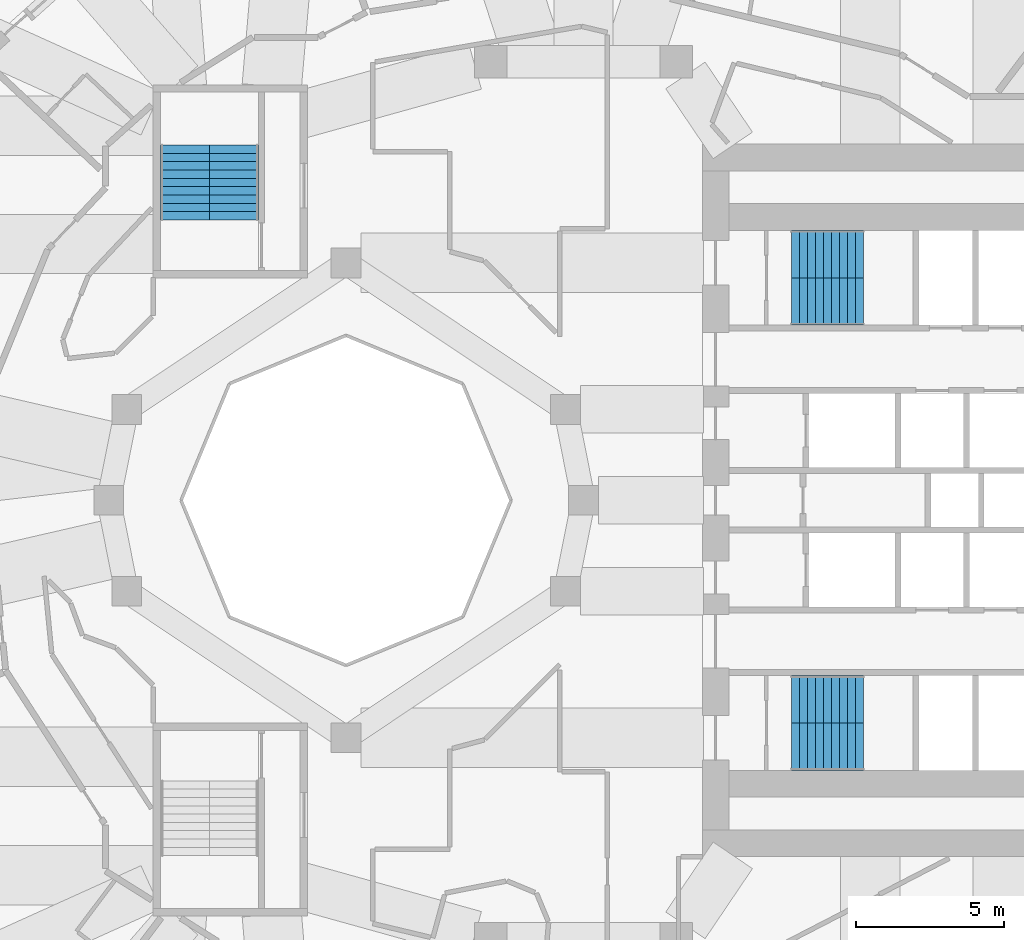
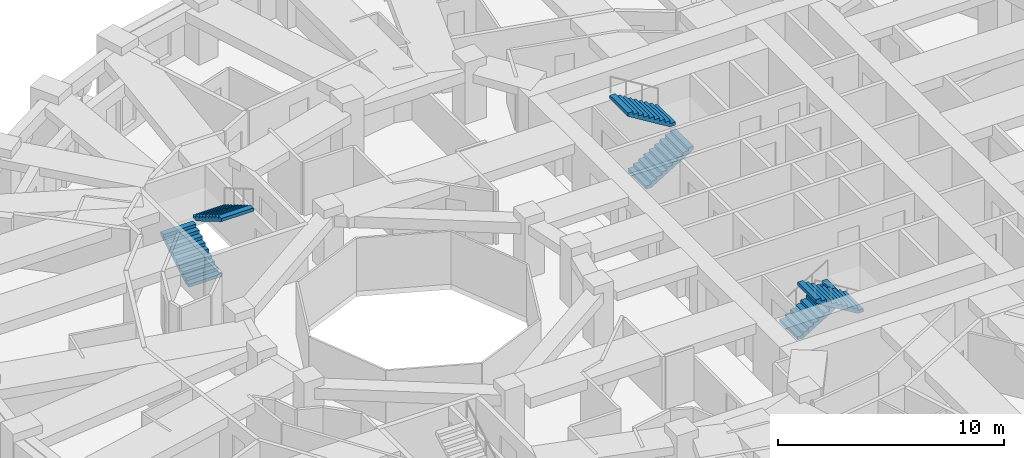
# One storey, part 10 of 13: 6 stair flights, 3 elements without a shape of their own.
"""IFC4 building model written with IfcOpenShell, lengths in metres."""

from ifc_helpers import new_model, si_unit, direction, frame, origin, place, context, subcontext, project, spatial, polyline, outline, extrude, material, type_object, element, aggregate, save


model = new_model("IFC4")

# Units and contexts
model_context = context("Model", 3, precision=1e-05, world=origin(), true_north=direction((0.0, 1.0)))
body_context = subcontext(model_context, "Body", "Model", "MODEL_VIEW")
ifc_project = project(units=[si_unit("LENGTHUNIT", "METRE"), si_unit("AREAUNIT", "SQUARE_METRE"), si_unit("VOLUMEUNIT", "CUBIC_METRE"), si_unit("PLANEANGLEUNIT", "RADIAN"), si_unit("MASSUNIT", "GRAM", prefix="KILO")], contexts=[model_context])

# Site, building, storey
site_placement = place(None, origin())
site = spatial("IfcSite", under=ifc_project, at=site_placement, CompositionType="ELEMENT")
building_placement = place(site_placement, origin())
building = spatial("IfcBuilding", under=site, at=building_placement, Name="Taillehof Tower", CompositionType="ELEMENT")
storey_placement = place(building_placement, frame((0.0, 0.0, 81.10009765625)))
storey = spatial("IfcBuildingStorey", under=building, at=storey_placement, Name="L22", CompositionType="ELEMENT", Elevation=81.10009765625)

# Stair, stair flights
ifc_material_1 = material(Name="Concrete C40/50", Category="concrete")
stair_type = type_object("IfcStairType", Name="Exit stair half-turn", PredefinedType="HALF_TURN_STAIR", material=ifc_material_1)
stair_1_placement = place(storey_placement, origin())
stair_1 = element("IfcStair", 1, at=stair_1_placement, inside=storey, type_object=stair_type, Name="Exit stair S1", PredefinedType="HALF_TURN_STAIR")
ifc_material_2 = material(Name="Concrete C40/50", Category="concrete")
stair_flight_type_1 = type_object("IfcStairFlightType", Name="Stair flight 1600 riser 165.0 going 270", PredefinedType="STRAIGHT", material=ifc_material_2)
stair_flight_1_placement = place(storey_placement, frame((7.0, 6.699951171875, 0.0), z_axis=(0.0, 0.0, 1.0), x_axis=(1.0, 0.0, 0.0)))
stair_flight_1 = element("IfcStairFlight", 2, at=stair_flight_1_placement, type_object=stair_flight_type_1, Name="S1 flight 1", NumberOfRisers=10, NumberOfTreads=9, PredefinedType="STRAIGHT", RiserHeight=0.165, TreadLength=0.27, context=body_context, shape_type="SweptSolid", body=[
    extrude(outline(polyline([(0.0, 0.0), (0.0, 0.00537109375), (0.0, 0.0107421875), (0.0, 0.015869140625), (0.0, 0.021240234375), (0.0, 0.026611328125), (0.0, 0.031982421875), (0.0, 0.037353515625), (0.0, 0.04248046875), (0.0, 0.0478515625), (0.0, 0.05322265625), (0.0, 0.05859375), (0.0, 0.06396484375), (0.0, 0.069091796875), (0.0, 0.074462890625), (0.0, 0.079833984375), (0.0, 0.085205078125), (0.0, 0.090576171875), (0.0, 0.095703125), (0.0, 0.10107421875), (0.0, 0.1064453125), (0.0, 0.11181640625), (0.0, 0.1171875), (0.0, 0.122314453125), (0.0, 0.127685546875), (0.0, 0.133056640625), (0.0, 0.138427734375), (0.0, 0.143798828125), (0.0, 0.14892578125), (0.0, 0.154296875), (0.0, 0.15966796875), (0.0, 0.1650390625), (0.27001953125, 0.1650390625), (0.27001953125, 0.330078125), (0.5400390625, 0.330078125), (0.5400390625, 0.4951171875), (0.81005859375, 0.4951171875), (0.81005859375, 0.659912109375), (1.080078125, 0.659912109375), (1.080078125, 0.824951171875), (1.35009765625, 0.824951171875), (1.35009765625, 0.989990234375), (1.6201171875, 0.989990234375), (1.6201171875, 1.155029296875), (1.889892578125, 1.155029296875), (1.889892578125, 1.320068359375), (2.159912109375, 1.320068359375), (2.159912109375, 1.485107421875), (2.429931640625, 1.485107421875), (2.429931640625, 1.479248046875), (2.429931640625, 1.4736328125), (2.429931640625, 1.468017578125), (2.429931640625, 1.46240234375), (2.429931640625, 1.45654296875), (2.429931640625, 1.450927734375), (2.429931640625, 1.4453125), (2.429931640625, 1.439697265625), (2.429931640625, 1.43408203125), (2.429931640625, 1.42822265625), (2.429931640625, 1.422607421875), (2.429931640625, 1.4169921875), (2.429931640625, 1.411376953125), (2.429931640625, 1.40576171875), (2.429931640625, 1.39990234375), (2.429931640625, 1.394287109375), (2.429931640625, 1.388671875), (2.429931640625, 1.383056640625), (2.429931640625, 1.37744140625), (2.429931640625, 1.37158203125), (2.429931640625, 1.365966796875), (2.429931640625, 1.3603515625), (2.429931640625, 1.354736328125), (2.429931640625, 1.348876953125), (2.429931640625, 1.34326171875), (2.429931640625, 1.337646484375), (2.429931640625, 1.33203125), (2.429931640625, 1.326416015625), (2.429931640625, 1.320556640625), (2.429931640625, 1.31494140625), (2.429931640625, 1.309326171875), (0.287353515625, 0.0), (0.0, 0.0)])), frame((0.0, 0.800048828125, 0.0), z_axis=(0.0, -1.0, 0.0), x_axis=(1.0, 0.0, 0.0)), (0.0, 0.0, 1.0), 1.6),
])
stair_flight_2_placement = place(storey_placement, frame((9.429931640625, 8.300048828125, 1.64990234375), z_axis=(0.0, 0.0, 1.0), x_axis=(-1.0, 0.0, 0.0)))
stair_flight_2 = element("IfcStairFlight", 3, at=stair_flight_2_placement, type_object=stair_flight_type_1, Name="S1 flight 2", NumberOfRisers=10, NumberOfTreads=9, PredefinedType="STRAIGHT", RiserHeight=0.165, TreadLength=0.27, context=body_context, shape_type="SweptSolid", body=[
    extrude(outline(polyline([(0.0, 0.0), (0.0, 0.00537109375), (0.0, 0.0107421875), (0.0, 0.015869140625), (0.0, 0.021240234375), (0.0, 0.026611328125), (0.0, 0.031982421875), (0.0, 0.037353515625), (0.0, 0.04248046875), (0.0, 0.0478515625), (0.0, 0.05322265625), (0.0, 0.05859375), (0.0, 0.06396484375), (0.0, 0.069091796875), (0.0, 0.074462890625), (0.0, 0.079833984375), (0.0, 0.085205078125), (0.0, 0.090576171875), (0.0, 0.095703125), (0.0, 0.10107421875), (0.0, 0.1064453125), (0.0, 0.11181640625), (0.0, 0.1171875), (0.0, 0.122314453125), (0.0, 0.127685546875), (0.0, 0.133056640625), (0.0, 0.138427734375), (0.0, 0.143798828125), (0.0, 0.14892578125), (0.0, 0.154296875), (0.0, 0.15966796875), (0.0, 0.1650390625), (0.27001953125, 0.1650390625), (0.27001953125, 0.330078125), (0.5400390625, 0.330078125), (0.5400390625, 0.4951171875), (0.81005859375, 0.4951171875), (0.81005859375, 0.659912109375), (1.080078125, 0.659912109375), (1.080078125, 0.824951171875), (1.35009765625, 0.824951171875), (1.35009765625, 0.989990234375), (1.6201171875, 0.989990234375), (1.6201171875, 1.155029296875), (1.889892578125, 1.155029296875), (1.889892578125, 1.320068359375), (2.159912109375, 1.320068359375), (2.159912109375, 1.485107421875), (2.429931640625, 1.485107421875), (2.429931640625, 1.479248046875), (2.429931640625, 1.4736328125), (2.429931640625, 1.468017578125), (2.429931640625, 1.46240234375), (2.429931640625, 1.45654296875), (2.429931640625, 1.450927734375), (2.429931640625, 1.4453125), (2.429931640625, 1.439697265625), (2.429931640625, 1.43408203125), (2.429931640625, 1.42822265625), (2.429931640625, 1.422607421875), (2.429931640625, 1.4169921875), (2.429931640625, 1.411376953125), (2.429931640625, 1.40576171875), (2.429931640625, 1.39990234375), (2.429931640625, 1.394287109375), (2.429931640625, 1.388671875), (2.429931640625, 1.383056640625), (2.429931640625, 1.37744140625), (2.429931640625, 1.37158203125), (2.429931640625, 1.365966796875), (2.429931640625, 1.3603515625), (2.429931640625, 1.354736328125), (2.429931640625, 1.348876953125), (2.429931640625, 1.34326171875), (2.429931640625, 1.337646484375), (2.429931640625, 1.33203125), (2.429931640625, 1.326416015625), (2.429931640625, 1.320556640625), (2.429931640625, 1.31494140625), (2.429931640625, 1.309326171875), (0.287353515625, 0.0), (0.0, 0.0)])), frame((0.0, 0.800048828125, 0.0), z_axis=(0.0, -1.0, 0.0), x_axis=(1.0, 0.0, 0.0)), (0.0, 0.0, 1.0), 1.6),
])
aggregate(stair_1, [stair_flight_1, stair_flight_2])

stair_2_placement = place(storey_placement, origin())
stair_2 = element("IfcStair", 4, at=stair_2_placement, inside=storey, type_object=stair_type, Name="Exit stair S2", PredefinedType="HALF_TURN_STAIR")
stair_flight_3_placement = place(storey_placement, frame((7.0, -6.699951171875, 0.0), z_axis=(0.0, 0.0, 1.0), x_axis=(1.0, 0.0, 0.0)))
stair_flight_3 = element("IfcStairFlight", 5, at=stair_flight_3_placement, type_object=stair_flight_type_1, Name="S2 flight 1", NumberOfRisers=10, NumberOfTreads=9, PredefinedType="STRAIGHT", RiserHeight=0.165, TreadLength=0.27, context=body_context, shape_type="SweptSolid", body=[
    extrude(outline(polyline([(0.0, 0.0), (0.0, 0.00537109375), (0.0, 0.0107421875), (0.0, 0.015869140625), (0.0, 0.021240234375), (0.0, 0.026611328125), (0.0, 0.031982421875), (0.0, 0.037353515625), (0.0, 0.04248046875), (0.0, 0.0478515625), (0.0, 0.05322265625), (0.0, 0.05859375), (0.0, 0.06396484375), (0.0, 0.069091796875), (0.0, 0.074462890625), (0.0, 0.079833984375), (0.0, 0.085205078125), (0.0, 0.090576171875), (0.0, 0.095703125), (0.0, 0.10107421875), (0.0, 0.1064453125), (0.0, 0.11181640625), (0.0, 0.1171875), (0.0, 0.122314453125), (0.0, 0.127685546875), (0.0, 0.133056640625), (0.0, 0.138427734375), (0.0, 0.143798828125), (0.0, 0.14892578125), (0.0, 0.154296875), (0.0, 0.15966796875), (0.0, 0.1650390625), (0.27001953125, 0.1650390625), (0.27001953125, 0.330078125), (0.5400390625, 0.330078125), (0.5400390625, 0.4951171875), (0.81005859375, 0.4951171875), (0.81005859375, 0.659912109375), (1.080078125, 0.659912109375), (1.080078125, 0.824951171875), (1.35009765625, 0.824951171875), (1.35009765625, 0.989990234375), (1.6201171875, 0.989990234375), (1.6201171875, 1.155029296875), (1.889892578125, 1.155029296875), (1.889892578125, 1.320068359375), (2.159912109375, 1.320068359375), (2.159912109375, 1.485107421875), (2.429931640625, 1.485107421875), (2.429931640625, 1.479248046875), (2.429931640625, 1.4736328125), (2.429931640625, 1.468017578125), (2.429931640625, 1.46240234375), (2.429931640625, 1.45654296875), (2.429931640625, 1.450927734375), (2.429931640625, 1.4453125), (2.429931640625, 1.439697265625), (2.429931640625, 1.43408203125), (2.429931640625, 1.42822265625), (2.429931640625, 1.422607421875), (2.429931640625, 1.4169921875), (2.429931640625, 1.411376953125), (2.429931640625, 1.40576171875), (2.429931640625, 1.39990234375), (2.429931640625, 1.394287109375), (2.429931640625, 1.388671875), (2.429931640625, 1.383056640625), (2.429931640625, 1.37744140625), (2.429931640625, 1.37158203125), (2.429931640625, 1.365966796875), (2.429931640625, 1.3603515625), (2.429931640625, 1.354736328125), (2.429931640625, 1.348876953125), (2.429931640625, 1.34326171875), (2.429931640625, 1.337646484375), (2.429931640625, 1.33203125), (2.429931640625, 1.326416015625), (2.429931640625, 1.320556640625), (2.429931640625, 1.31494140625), (2.429931640625, 1.309326171875), (0.287353515625, 0.0), (0.0, 0.0)])), frame((0.0, 0.800048828125, 0.0), z_axis=(0.0, -1.0, 0.0), x_axis=(1.0, 0.0, 0.0)), (0.0, 0.0, 1.0), 1.6),
])
stair_flight_4_placement = place(storey_placement, frame((9.429931640625, -8.300048828125, 1.64990234375), z_axis=(0.0, 0.0, 1.0), x_axis=(-1.0, 0.0, 0.0)))
stair_flight_4 = element("IfcStairFlight", 6, at=stair_flight_4_placement, type_object=stair_flight_type_1, Name="S2 flight 2", NumberOfRisers=10, NumberOfTreads=9, PredefinedType="STRAIGHT", RiserHeight=0.165, TreadLength=0.27, context=body_context, shape_type="SweptSolid", body=[
    extrude(outline(polyline([(0.0, 0.0), (0.0, 0.00537109375), (0.0, 0.0107421875), (0.0, 0.015869140625), (0.0, 0.021240234375), (0.0, 0.026611328125), (0.0, 0.031982421875), (0.0, 0.037353515625), (0.0, 0.04248046875), (0.0, 0.0478515625), (0.0, 0.05322265625), (0.0, 0.05859375), (0.0, 0.06396484375), (0.0, 0.069091796875), (0.0, 0.074462890625), (0.0, 0.079833984375), (0.0, 0.085205078125), (0.0, 0.090576171875), (0.0, 0.095703125), (0.0, 0.10107421875), (0.0, 0.1064453125), (0.0, 0.11181640625), (0.0, 0.1171875), (0.0, 0.122314453125), (0.0, 0.127685546875), (0.0, 0.133056640625), (0.0, 0.138427734375), (0.0, 0.143798828125), (0.0, 0.14892578125), (0.0, 0.154296875), (0.0, 0.15966796875), (0.0, 0.1650390625), (0.27001953125, 0.1650390625), (0.27001953125, 0.330078125), (0.5400390625, 0.330078125), (0.5400390625, 0.4951171875), (0.81005859375, 0.4951171875), (0.81005859375, 0.659912109375), (1.080078125, 0.659912109375), (1.080078125, 0.824951171875), (1.35009765625, 0.824951171875), (1.35009765625, 0.989990234375), (1.6201171875, 0.989990234375), (1.6201171875, 1.155029296875), (1.889892578125, 1.155029296875), (1.889892578125, 1.320068359375), (2.159912109375, 1.320068359375), (2.159912109375, 1.485107421875), (2.429931640625, 1.485107421875), (2.429931640625, 1.479248046875), (2.429931640625, 1.4736328125), (2.429931640625, 1.468017578125), (2.429931640625, 1.46240234375), (2.429931640625, 1.45654296875), (2.429931640625, 1.450927734375), (2.429931640625, 1.4453125), (2.429931640625, 1.439697265625), (2.429931640625, 1.43408203125), (2.429931640625, 1.42822265625), (2.429931640625, 1.422607421875), (2.429931640625, 1.4169921875), (2.429931640625, 1.411376953125), (2.429931640625, 1.40576171875), (2.429931640625, 1.39990234375), (2.429931640625, 1.394287109375), (2.429931640625, 1.388671875), (2.429931640625, 1.383056640625), (2.429931640625, 1.37744140625), (2.429931640625, 1.37158203125), (2.429931640625, 1.365966796875), (2.429931640625, 1.3603515625), (2.429931640625, 1.354736328125), (2.429931640625, 1.348876953125), (2.429931640625, 1.34326171875), (2.429931640625, 1.337646484375), (2.429931640625, 1.33203125), (2.429931640625, 1.326416015625), (2.429931640625, 1.320556640625), (2.429931640625, 1.31494140625), (2.429931640625, 1.309326171875), (0.287353515625, 0.0), (0.0, 0.0)])), frame((0.0, 0.800048828125, 0.0), z_axis=(0.0, -1.0, 0.0), x_axis=(1.0, 0.0, 0.0)), (0.0, 0.0, 1.0), 1.6),
])
aggregate(stair_2, [stair_flight_3, stair_flight_4])

stair_3_placement = place(storey_placement, origin())
stair_3 = element("IfcStair", 7, at=stair_3_placement, inside=storey, type_object=stair_type, Name="Exit stair S3", PredefinedType="HALF_TURN_STAIR")
ifc_material_3 = material(Name="Concrete C40/50", Category="concrete")
stair_flight_type_2 = type_object("IfcStairFlightType", Name="Stair flight 1650 riser 165.0 going 280", PredefinedType="STRAIGHT", material=ifc_material_3)
stair_flight_5_placement = place(storey_placement, frame((-13.425048828125, 9.449951171875, 0.0), z_axis=(0.0, 0.0, 1.0), x_axis=(0.0, 1.0, 0.0)))
stair_flight_5 = element("IfcStairFlight", 8, at=stair_flight_5_placement, type_object=stair_flight_type_2, Name="S3 flight 1", NumberOfRisers=10, NumberOfTreads=9, PredefinedType="STRAIGHT", RiserHeight=0.165, TreadLength=0.28, context=body_context, shape_type="SweptSolid", body=[
    extrude(outline(polyline([(0.0, 0.0), (0.0, 0.00537109375), (0.0, 0.0107421875), (0.0, 0.015869140625), (0.0, 0.021240234375), (0.0, 0.026611328125), (0.0, 0.031982421875), (0.0, 0.037353515625), (0.0, 0.04248046875), (0.0, 0.0478515625), (0.0, 0.05322265625), (0.0, 0.05859375), (0.0, 0.06396484375), (0.0, 0.069091796875), (0.0, 0.074462890625), (0.0, 0.079833984375), (0.0, 0.085205078125), (0.0, 0.090576171875), (0.0, 0.095703125), (0.0, 0.10107421875), (0.0, 0.1064453125), (0.0, 0.11181640625), (0.0, 0.1171875), (0.0, 0.122314453125), (0.0, 0.127685546875), (0.0, 0.133056640625), (0.0, 0.138427734375), (0.0, 0.143798828125), (0.0, 0.14892578125), (0.0, 0.154296875), (0.0, 0.15966796875), (0.0, 0.1650390625), (0.280029296875, 0.1650390625), (0.280029296875, 0.330078125), (0.56005859375, 0.330078125), (0.56005859375, 0.4951171875), (0.840087890625, 0.4951171875), (0.840087890625, 0.659912109375), (1.1201171875, 0.659912109375), (1.1201171875, 0.824951171875), (1.39990234375, 0.824951171875), (1.39990234375, 0.989990234375), (1.679931640625, 0.989990234375), (1.679931640625, 1.155029296875), (1.9599609375, 1.155029296875), (1.9599609375, 1.320068359375), (2.239990234375, 1.320068359375), (2.239990234375, 1.485107421875), (2.52001953125, 1.485107421875), (2.52001953125, 1.4794921875), (2.52001953125, 1.473876953125), (2.52001953125, 1.46826171875), (2.52001953125, 1.462646484375), (2.52001953125, 1.45703125), (2.52001953125, 1.451416015625), (2.52001953125, 1.44580078125), (2.52001953125, 1.440185546875), (2.52001953125, 1.4345703125), (2.52001953125, 1.428955078125), (2.52001953125, 1.42333984375), (2.52001953125, 1.417724609375), (2.52001953125, 1.412109375), (2.52001953125, 1.406494140625), (2.52001953125, 1.40087890625), (2.52001953125, 1.395263671875), (2.52001953125, 1.3896484375), (2.52001953125, 1.384033203125), (2.52001953125, 1.37841796875), (2.52001953125, 1.372802734375), (2.52001953125, 1.3671875), (2.52001953125, 1.361572265625), (2.52001953125, 1.35595703125), (2.52001953125, 1.350341796875), (2.52001953125, 1.3447265625), (2.52001953125, 1.339111328125), (2.52001953125, 1.33349609375), (2.52001953125, 1.327880859375), (2.52001953125, 1.322265625), (2.52001953125, 1.316650390625), (2.52001953125, 1.31103515625), (0.295166015625, 0.0), (0.0, 0.0)])), frame((0.0, 0.824951171875, 0.0), z_axis=(0.0, -1.0, 0.0), x_axis=(1.0, 0.0, 0.0)), (0.0, 0.0, 1.0), 1.65),
])
stair_flight_6_placement = place(storey_placement, frame((-11.77490234375, 11.969970703125, 1.64990234375), z_axis=(0.0, 0.0, 1.0), x_axis=(0.0, -1.0, 0.0)))
stair_flight_6 = element("IfcStairFlight", 9, at=stair_flight_6_placement, type_object=stair_flight_type_2, Name="S3 flight 2", NumberOfRisers=10, NumberOfTreads=9, PredefinedType="STRAIGHT", RiserHeight=0.165, TreadLength=0.28, context=body_context, shape_type="SweptSolid", body=[
    extrude(outline(polyline([(0.0, 0.0), (0.0, 0.00537109375), (0.0, 0.0107421875), (0.0, 0.015869140625), (0.0, 0.021240234375), (0.0, 0.026611328125), (0.0, 0.031982421875), (0.0, 0.037353515625), (0.0, 0.04248046875), (0.0, 0.0478515625), (0.0, 0.05322265625), (0.0, 0.05859375), (0.0, 0.06396484375), (0.0, 0.069091796875), (0.0, 0.074462890625), (0.0, 0.079833984375), (0.0, 0.085205078125), (0.0, 0.090576171875), (0.0, 0.095703125), (0.0, 0.10107421875), (0.0, 0.1064453125), (0.0, 0.11181640625), (0.0, 0.1171875), (0.0, 0.122314453125), (0.0, 0.127685546875), (0.0, 0.133056640625), (0.0, 0.138427734375), (0.0, 0.143798828125), (0.0, 0.14892578125), (0.0, 0.154296875), (0.0, 0.15966796875), (0.0, 0.1650390625), (0.280029296875, 0.1650390625), (0.280029296875, 0.330078125), (0.56005859375, 0.330078125), (0.56005859375, 0.4951171875), (0.840087890625, 0.4951171875), (0.840087890625, 0.659912109375), (1.1201171875, 0.659912109375), (1.1201171875, 0.824951171875), (1.39990234375, 0.824951171875), (1.39990234375, 0.989990234375), (1.679931640625, 0.989990234375), (1.679931640625, 1.155029296875), (1.9599609375, 1.155029296875), (1.9599609375, 1.320068359375), (2.239990234375, 1.320068359375), (2.239990234375, 1.485107421875), (2.52001953125, 1.485107421875), (2.52001953125, 1.4794921875), (2.52001953125, 1.473876953125), (2.52001953125, 1.46826171875), (2.52001953125, 1.462646484375), (2.52001953125, 1.45703125), (2.52001953125, 1.451416015625), (2.52001953125, 1.44580078125), (2.52001953125, 1.440185546875), (2.52001953125, 1.4345703125), (2.52001953125, 1.428955078125), (2.52001953125, 1.42333984375), (2.52001953125, 1.417724609375), (2.52001953125, 1.412109375), (2.52001953125, 1.406494140625), (2.52001953125, 1.40087890625), (2.52001953125, 1.395263671875), (2.52001953125, 1.3896484375), (2.52001953125, 1.384033203125), (2.52001953125, 1.37841796875), (2.52001953125, 1.372802734375), (2.52001953125, 1.3671875), (2.52001953125, 1.361572265625), (2.52001953125, 1.35595703125), (2.52001953125, 1.350341796875), (2.52001953125, 1.3447265625), (2.52001953125, 1.339111328125), (2.52001953125, 1.33349609375), (2.52001953125, 1.327880859375), (2.52001953125, 1.322265625), (2.52001953125, 1.316650390625), (2.52001953125, 1.31103515625), (0.295166015625, 0.0), (0.0, 0.0)])), frame((0.0, 0.824951171875, 0.0), z_axis=(0.0, -1.0, 0.0), x_axis=(1.0, 0.0, 0.0)), (0.0, 0.0, 1.0), 1.65),
])
aggregate(stair_3, [stair_flight_5, stair_flight_6])

save(model, "model.ifc")
